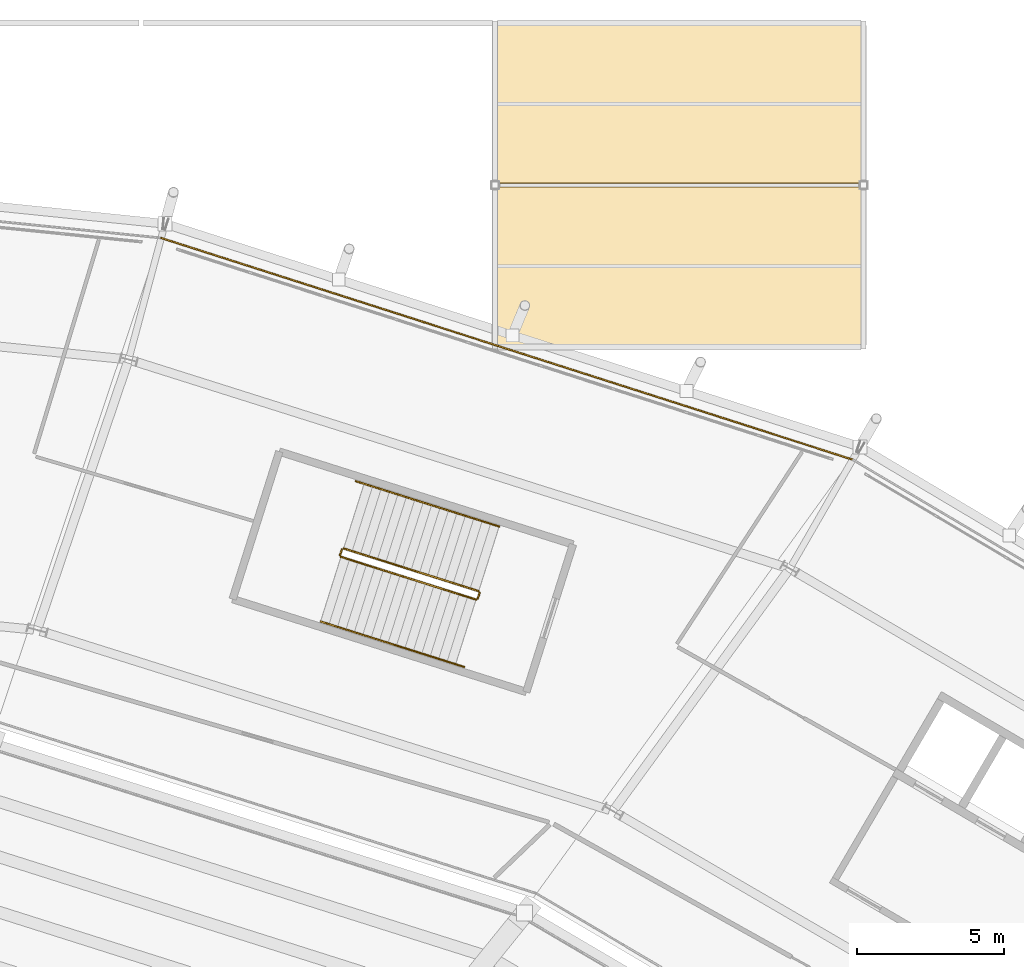
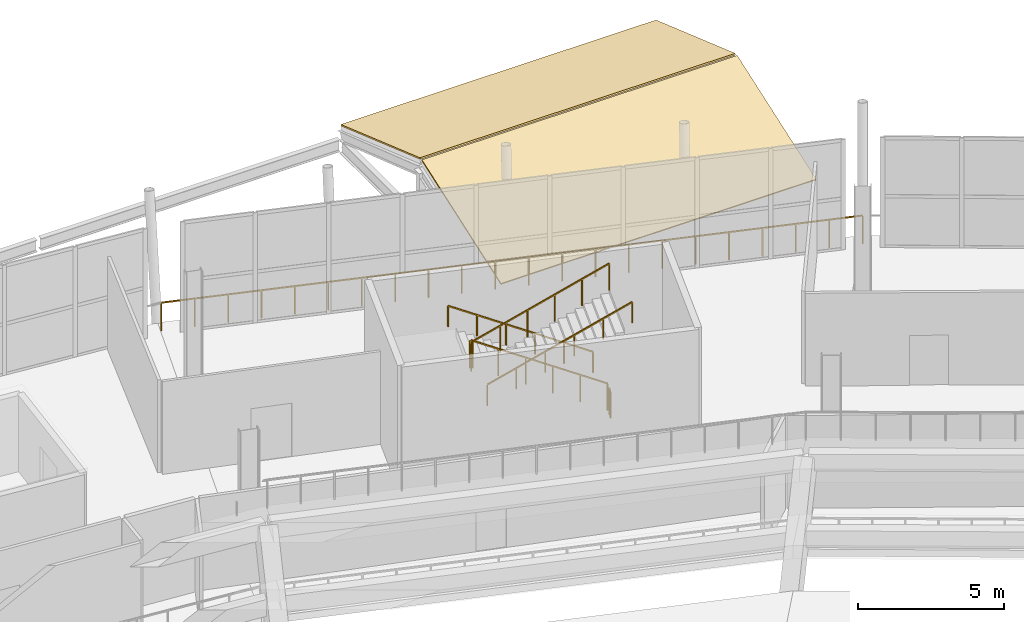
# One storey, part 125 of 126: 7 railings, 2 coverings, 1 element without a shape of its own.
"""IFC4 building model written with IfcOpenShell, lengths in metres."""

from ifc_helpers import new_model, si_unit, direction, frame, origin, origin_2d, place, context, subcontext, project, spatial, polyline, rectangle, outline, extrude, material, layer, layer_set, type_object, element, aggregate, save


model = new_model("IFC4")

# Units and contexts
model_context = context("Model", 3, precision=1e-05, world=origin(), true_north=direction((0.0, 1.0)))
body_context = subcontext(model_context, "Body", "Model", "MODEL_VIEW")
ifc_project = project(units=[si_unit("LENGTHUNIT", "METRE"), si_unit("AREAUNIT", "SQUARE_METRE"), si_unit("VOLUMEUNIT", "CUBIC_METRE"), si_unit("PLANEANGLEUNIT", "RADIAN"), si_unit("MASSUNIT", "GRAM", prefix="KILO")], contexts=[model_context])

# Site, building, storey
site_placement = place(None, origin())
site = spatial("IfcSite", under=ifc_project, at=site_placement, CompositionType="ELEMENT")
building_placement = place(site_placement, origin())
building = spatial("IfcBuilding", under=site, at=building_placement, Name="Zlatoyarsky Gate Stadium", CompositionType="ELEMENT")
storey_placement = place(building_placement, frame((0.0, 0.0, 20.800048828125)))
storey = spatial("IfcBuildingStorey", under=building, at=storey_placement, Name="L04", CompositionType="ELEMENT", Elevation=20.800048828125)

# Railings
ifc_material_1 = material(Name="Powder-coated steel tubular guardrail", Category="steel")
railing_type_1 = type_object("IfcRailingType", Name="CONCOURSE SLAB EDGE GUARDRAIL 1200", PredefinedType="GUARDRAIL", material=ifc_material_1)
railing_1_placement = place(storey_placement, frame((159.634765625, 145.185302734375, 0.0)))
element("IfcRailing", 1, at=railing_1_placement, inside=storey, type_object=railing_type_1, Name="L04 outer slab edge guardrail 04", PredefinedType="GUARDRAIL", context=body_context, shape_type="SweptSolid", body=[
    extrude(rectangle(XDim=0.048095703125, YDim=0.048095703125, at=origin_2d()), frame((0.0, 0.0, 1.17578125), z_axis=(-0.95227674854, 0.305235964773, 0.0), x_axis=(-0.305235964773, -0.95227674854, 0.0)), (0.0, 0.0, 1.0), 24.63525390625),
    extrude(rectangle(XDim=0.0419921875, YDim=0.0419921875, at=origin_2d()), origin(), (0.0, 0.0, 1.0), 1.15185546875),
    extrude(rectangle(XDim=0.0419921875, YDim=0.0419921875, at=origin_2d()), frame((-1.1171875, 0.358154296875, 0.0)), (0.0, 0.0, 1.0), 1.15185546875),
    extrude(rectangle(XDim=0.0419921875, YDim=0.0419921875, at=origin_2d()), frame((-2.234130859375, 0.716064453125, 0.0)), (0.0, 0.0, 1.0), 1.15185546875),
    extrude(rectangle(XDim=0.0419921875, YDim=0.0419921875, at=origin_2d()), frame((-3.351318359375, 1.07421875, 0.0)), (0.0, 0.0, 1.0), 1.15185546875),
    extrude(rectangle(XDim=0.0419921875, YDim=0.0419921875, at=origin_2d()), frame((-4.468505859375, 1.432373046875, 0.0)), (0.0, 0.0, 1.0), 1.15185546875),
    extrude(rectangle(XDim=0.0419921875, YDim=0.0419921875, at=origin_2d()), frame((-5.585693359375, 1.790283203125, 0.0)), (0.0, 0.0, 1.0), 1.15185546875),
    extrude(rectangle(XDim=0.0419921875, YDim=0.0419921875, at=origin_2d()), frame((-6.70263671875, 2.1484375, 0.0)), (0.0, 0.0, 1.0), 1.15185546875),
    extrude(rectangle(XDim=0.0419921875, YDim=0.0419921875, at=origin_2d()), frame((-7.81982421875, 2.506591796875, 0.0)), (0.0, 0.0, 1.0), 1.15185546875),
    extrude(rectangle(XDim=0.0419921875, YDim=0.0419921875, at=origin_2d()), frame((-8.93701171875, 2.864501953125, 0.0)), (0.0, 0.0, 1.0), 1.15185546875),
    extrude(rectangle(XDim=0.0419921875, YDim=0.0419921875, at=origin_2d()), frame((-10.053955078125, 3.22265625, 0.0)), (0.0, 0.0, 1.0), 1.15185546875),
    extrude(rectangle(XDim=0.0419921875, YDim=0.0419921875, at=origin_2d()), frame((-11.171142578125, 3.580810546875, 0.0)), (0.0, 0.0, 1.0), 1.15185546875),
    extrude(rectangle(XDim=0.0419921875, YDim=0.0419921875, at=origin_2d()), frame((-12.288330078125, 3.938720703125, 0.0)), (0.0, 0.0, 1.0), 1.15185546875),
    extrude(rectangle(XDim=0.0419921875, YDim=0.0419921875, at=origin_2d()), frame((-13.405517578125, 4.296875, 0.0)), (0.0, 0.0, 1.0), 1.15185546875),
    extrude(rectangle(XDim=0.0419921875, YDim=0.0419921875, at=origin_2d()), frame((-14.5224609375, 4.655029296875, 0.0)), (0.0, 0.0, 1.0), 1.15185546875),
    extrude(rectangle(XDim=0.0419921875, YDim=0.0419921875, at=origin_2d()), frame((-15.6396484375, 5.012939453125, 0.0)), (0.0, 0.0, 1.0), 1.15185546875),
    extrude(rectangle(XDim=0.0419921875, YDim=0.0419921875, at=origin_2d()), frame((-16.7568359375, 5.37109375, 0.0)), (0.0, 0.0, 1.0), 1.15185546875),
    extrude(rectangle(XDim=0.0419921875, YDim=0.0419921875, at=origin_2d()), frame((-17.873779296875, 5.729248046875, 0.0)), (0.0, 0.0, 1.0), 1.15185546875),
    extrude(rectangle(XDim=0.0419921875, YDim=0.0419921875, at=origin_2d()), frame((-18.990966796875, 6.087158203125, 0.0)), (0.0, 0.0, 1.0), 1.15185546875),
    extrude(rectangle(XDim=0.0419921875, YDim=0.0419921875, at=origin_2d()), frame((-20.108154296875, 6.4453125, 0.0)), (0.0, 0.0, 1.0), 1.15185546875),
    extrude(rectangle(XDim=0.0419921875, YDim=0.0419921875, at=origin_2d()), frame((-21.225341796875, 6.803466796875, 0.0)), (0.0, 0.0, 1.0), 1.15185546875),
    extrude(rectangle(XDim=0.0419921875, YDim=0.0419921875, at=origin_2d()), frame((-22.34228515625, 7.161376953125, 0.0)), (0.0, 0.0, 1.0), 1.15185546875),
    extrude(rectangle(XDim=0.0419921875, YDim=0.0419921875, at=origin_2d()), frame((-23.45947265625, 7.51953125, 0.0)), (0.0, 0.0, 1.0), 1.15185546875),
])
ifc_material_2 = material(Name="Powder-coated steel stair guardrail", Category="steel")
railing_type_2 = type_object("IfcRailingType", Name="PAINTED STEEL STAIR WELL GUARDRAIL 1150", PredefinedType="GUARDRAIL", material=ifc_material_2)
railing_2_placement = place(storey_placement, frame((146.94482421875, 140.7236328125, 0.15869140625)))
element("IfcRailing", 2, at=railing_2_placement, inside=storey, type_object=railing_type_2, Name="ST-03 L04 stair guard 1", PredefinedType="GUARDRAIL", context=body_context, shape_type="SweptSolid", body=[
    extrude(rectangle(XDim=0.048095703125, YDim=0.048095703125, at=origin_2d()), frame((0.0, 0.0, 1.1259765625), z_axis=(-0.842654327269, 0.266470439136, 0.467896558868), x_axis=(-0.301511080938, -0.953462672616, 0.0)), (0.0, 0.0, 1.0), 5.43115234375),
    extrude(rectangle(XDim=0.0419921875, YDim=0.0419921875, at=origin_2d()), origin(), (0.0, 0.0, 1.0), 1.101806640625),
    extrude(rectangle(XDim=0.0419921875, YDim=0.0419921875, at=origin_2d()), frame((-0.915283203125, 0.28955078125, 0.50830078125)), (0.0, 0.0, 1.0), 1.101806640625),
    extrude(rectangle(XDim=0.0419921875, YDim=0.0419921875, at=origin_2d()), frame((-1.83056640625, 0.578857421875, 1.0166015625)), (0.0, 0.0, 1.0), 1.101806640625),
    extrude(rectangle(XDim=0.0419921875, YDim=0.0419921875, at=origin_2d()), frame((-2.74609375, 0.868408203125, 1.524658203125)), (0.0, 0.0, 1.0), 1.101806640625),
    extrude(rectangle(XDim=0.0419921875, YDim=0.0419921875, at=origin_2d()), frame((-3.661376953125, 1.15771484375, 2.032958984375)), (0.0, 0.0, 1.0), 1.101806640625),
    extrude(rectangle(XDim=0.0419921875, YDim=0.0419921875, at=origin_2d()), frame((-4.57666015625, 1.447265625, 2.541259765625)), (0.0, 0.0, 1.0), 1.101806640625),
])
railing_3_placement = place(storey_placement, frame((142.305419921875, 142.13818359375, 2.699951171875)))
element("IfcRailing", 3, at=railing_3_placement, inside=storey, type_object=railing_type_2, Name="ST-03 L04 stair guard 2", PredefinedType="GUARDRAIL", context=body_context, shape_type="SweptSolid", body=[
    extrude(rectangle(XDim=0.048095703125, YDim=0.048095703125, at=origin_2d()), frame((0.0, 0.0, 1.1259765625), z_axis=(-0.301540327315, -0.953453423615, 0.0), x_axis=(0.953453423615, -0.301540327315, 0.0)), (0.0, 0.0, 1.0), 0.199951171875),
    extrude(rectangle(XDim=0.0419921875, YDim=0.0419921875, at=origin_2d()), origin(), (0.0, 0.0, 1.0), 1.101806640625),
    extrude(rectangle(XDim=0.0419921875, YDim=0.0419921875, at=origin_2d()), frame((-0.060302734375, -0.190673828125, 0.0)), (0.0, 0.0, 1.0), 1.101806640625),
])
railing_4_placement = place(storey_placement, frame((142.277587890625, 141.884765625, 2.85888671875)))
element("IfcRailing", 4, at=railing_4_placement, inside=storey, type_object=railing_type_2, Name="ST-03 L04 stair guard 3", PredefinedType="GUARDRAIL", context=body_context, shape_type="SweptSolid", body=[
    extrude(rectangle(XDim=0.048095703125, YDim=0.048095703125, at=origin_2d()), frame((0.0, 0.0, 1.1259765625), z_axis=(0.842672050096, -0.266476043581, 0.467861447637), x_axis=(0.301511080938, 0.953462672616, 0.0)), (0.0, 0.0, 1.0), 5.43115234375),
    extrude(rectangle(XDim=0.0419921875, YDim=0.0419921875, at=origin_2d()), origin(), (0.0, 0.0, 1.0), 1.101806640625),
    extrude(rectangle(XDim=0.0419921875, YDim=0.0419921875, at=origin_2d()), frame((0.915283203125, -0.28955078125, 0.50830078125)), (0.0, 0.0, 1.0), 1.101806640625),
    extrude(rectangle(XDim=0.0419921875, YDim=0.0419921875, at=origin_2d()), frame((1.83056640625, -0.578857421875, 1.016357421875)), (0.0, 0.0, 1.0), 1.101806640625),
    extrude(rectangle(XDim=0.0419921875, YDim=0.0419921875, at=origin_2d()), frame((2.74609375, -0.868408203125, 1.524658203125)), (0.0, 0.0, 1.0), 1.101806640625),
    extrude(rectangle(XDim=0.0419921875, YDim=0.0419921875, at=origin_2d()), frame((3.661376953125, -1.15771484375, 2.03271484375)), (0.0, 0.0, 1.0), 1.101806640625),
    extrude(rectangle(XDim=0.0419921875, YDim=0.0419921875, at=origin_2d()), frame((4.57666015625, -1.447265625, 2.541015625)), (0.0, 0.0, 1.0), 1.101806640625),
])
railing_5_placement = place(storey_placement, frame((146.977294921875, 140.660888671875, 0.0)))
element("IfcRailing", 5, at=railing_5_placement, inside=storey, type_object=railing_type_2, Name="ST-03 L04 stair guard 4", PredefinedType="GUARDRAIL", context=body_context, shape_type="SweptSolid", body=[
    extrude(rectangle(XDim=0.048095703125, YDim=0.048095703125, at=origin_2d()), frame((0.0, 0.0, 1.1259765625), z_axis=(-0.301540327315, -0.953453423615, 0.0), x_axis=(0.953453423615, -0.301540327315, 0.0)), (0.0, 0.0, 1.0), 0.199951171875),
    extrude(rectangle(XDim=0.0419921875, YDim=0.0419921875, at=origin_2d()), origin(), (0.0, 0.0, 1.0), 1.101806640625),
    extrude(rectangle(XDim=0.0419921875, YDim=0.0419921875, at=origin_2d()), frame((-0.060302734375, -0.190673828125, 0.0)), (0.0, 0.0, 1.0), 1.101806640625),
])
ifc_material_3 = material(Name="Brushed stainless steel 316 handrail", Category="steel")
railing_type_3 = type_object("IfcRailingType", Name="STAINLESS STEEL TUBULAR HANDRAIL 900", PredefinedType="HANDRAIL", material=ifc_material_3)
railing_6_placement = place(storey_placement, frame((147.63818359375, 142.91650390625, 0.162841796875)))
element("IfcRailing", 6, at=railing_6_placement, inside=storey, type_object=railing_type_3, Name="ST-03 L04 stair handrail 1", PredefinedType="HANDRAIL", context=body_context, shape_type="SweptSolid", body=[
    extrude(rectangle(XDim=0.048095703125, YDim=0.048095703125, at=origin_2d()), frame((0.0, 0.0, 0.8759765625), z_axis=(-0.842651293376, 0.266498995681, 0.46788575857), x_axis=(-0.301541441746, -0.953453071163, 0.0)), (0.0, 0.0, 1.0), 5.7705078125),
    extrude(rectangle(XDim=0.0419921875, YDim=0.0419921875, at=origin_2d()), origin(), (0.0, 0.0, 1.0), 0.851806640625),
    extrude(rectangle(XDim=0.0419921875, YDim=0.0419921875, at=origin_2d()), frame((-0.972412109375, 0.3076171875, 0.5400390625)), (0.0, 0.0, 1.0), 0.851806640625),
    extrude(rectangle(XDim=0.0419921875, YDim=0.0419921875, at=origin_2d()), frame((-1.945068359375, 0.615234375, 1.080078125)), (0.0, 0.0, 1.0), 0.851806640625),
    extrude(rectangle(XDim=0.0419921875, YDim=0.0419921875, at=origin_2d()), frame((-2.91748046875, 0.922607421875, 1.619873046875)), (0.0, 0.0, 1.0), 0.851806640625),
    extrude(rectangle(XDim=0.0419921875, YDim=0.0419921875, at=origin_2d()), frame((-3.89013671875, 1.230224609375, 2.159912109375)), (0.0, 0.0, 1.0), 0.851806640625),
    extrude(rectangle(XDim=0.0419921875, YDim=0.0419921875, at=origin_2d()), frame((-4.862548828125, 1.537841796875, 2.699951171875)), (0.0, 0.0, 1.0), 0.851806640625),
])
railing_7_placement = place(storey_placement, frame((141.584228515625, 139.69189453125, 2.86279296875)))
element("IfcRailing", 7, at=railing_7_placement, inside=storey, type_object=railing_type_3, Name="ST-03 L04 stair handrail 2", PredefinedType="HANDRAIL", context=body_context, shape_type="SweptSolid", body=[
    extrude(rectangle(XDim=0.048095703125, YDim=0.048095703125, at=origin_2d()), frame((0.0, 0.0, 0.8759765625), z_axis=(0.842651293376, -0.266498995681, 0.46788575857), x_axis=(0.301541441746, 0.953453071163, 0.0)), (0.0, 0.0, 1.0), 5.7705078125),
    extrude(rectangle(XDim=0.0419921875, YDim=0.0419921875, at=origin_2d()), origin(), (0.0, 0.0, 1.0), 0.851806640625),
    extrude(rectangle(XDim=0.0419921875, YDim=0.0419921875, at=origin_2d()), frame((0.972412109375, -0.3076171875, 0.5400390625)), (0.0, 0.0, 1.0), 0.851806640625),
    extrude(rectangle(XDim=0.0419921875, YDim=0.0419921875, at=origin_2d()), frame((1.945068359375, -0.615234375, 1.080078125)), (0.0, 0.0, 1.0), 0.851806640625),
    extrude(rectangle(XDim=0.0419921875, YDim=0.0419921875, at=origin_2d()), frame((2.91748046875, -0.922607421875, 1.619873046875)), (0.0, 0.0, 1.0), 0.851806640625),
    extrude(rectangle(XDim=0.0419921875, YDim=0.0419921875, at=origin_2d()), frame((3.89013671875, -1.230224609375, 2.159912109375)), (0.0, 0.0, 1.0), 0.851806640625),
    extrude(rectangle(XDim=0.0419921875, YDim=0.0419921875, at=origin_2d()), frame((4.862548828125, -1.537841796875, 2.699951171875)), (0.0, 0.0, 1.0), 0.851806640625),
])

# Roof, coverings
ifc_material_4 = material(Name="Standing-seam aluminium-zinc roofing with mineral wool insulation", Category="aluminium")
ifc_layer_1 = layer(ifc_material_4, 0.080078125)
ifc_layer_set_1 = layer_set([ifc_layer_1], Name="Standing-seam aluminium-zinc roofing with mineral wool insulation")
roof_type = type_object("IfcRoofType", Name="STADIUM BARREL VAULT ROOF ASSEMBLY", PredefinedType="BARREL_ROOF", material=ifc_layer_set_1)
roof_placement = place(storey_placement, origin())
roof = element("IfcRoof", 8, at=roof_placement, inside=storey, type_object=roof_type, Name="V2_NORTH_E barrel roof", PredefinedType="BARREL_ROOF")
ifc_layer_2 = layer(ifc_material_4, 0.06005859375)
ifc_layer_set_2 = layer_set([ifc_layer_2], Name="Standing-seam aluminium-zinc roofing with mineral wool insulation")
covering_type = type_object("IfcCoveringType", Name="STANDING SEAM ALUMINIUM ZINC ROOFING 60", PredefinedType="ROOFING", material=ifc_layer_set_2)
covering_1_placement = place(storey_placement, frame((147.5, 149.0, 0.260009765625), z_axis=(0.0, -0.329578946053, 0.94412802009), x_axis=(1.0, 0.0, 0.0)))
covering_1 = element("IfcCovering", 9, at=covering_1_placement, type_object=covering_type, Name="V2_NORTH_E standing seam roofing 1", PredefinedType="ROOFING", context=body_context, shape_type="SweptSolid", body=[
    extrude(outline(polyline([(0.0, 0.0), (12.5, 0.0), (12.5, 5.7520420397895435), (0.0, 5.7520420397895435), (0.0, 0.0)])), origin(), (0.0, 0.0, -1.0), 0.06005859375),
])
covering_2_placement = place(storey_placement, frame((160.0, 160.0, 0.260009765625), z_axis=(0.0, 0.329578946053, 0.94412802009), x_axis=(-1.0, 0.0, 0.0)))
covering_2 = element("IfcCovering", 10, at=covering_2_placement, type_object=covering_type, Name="V2_NORTH_E standing seam roofing 2", PredefinedType="ROOFING", context=body_context, shape_type="SweptSolid", body=[
    extrude(outline(polyline([(0.0, 0.0), (12.5, 0.0), (12.5, 5.7520420397895435), (0.0, 5.7520420397895435), (0.0, 0.0)])), origin(), (0.0, 0.0, -1.0), 0.06005859375),
])
aggregate(roof, [covering_1, covering_2])

save(model, "model.ifc")
